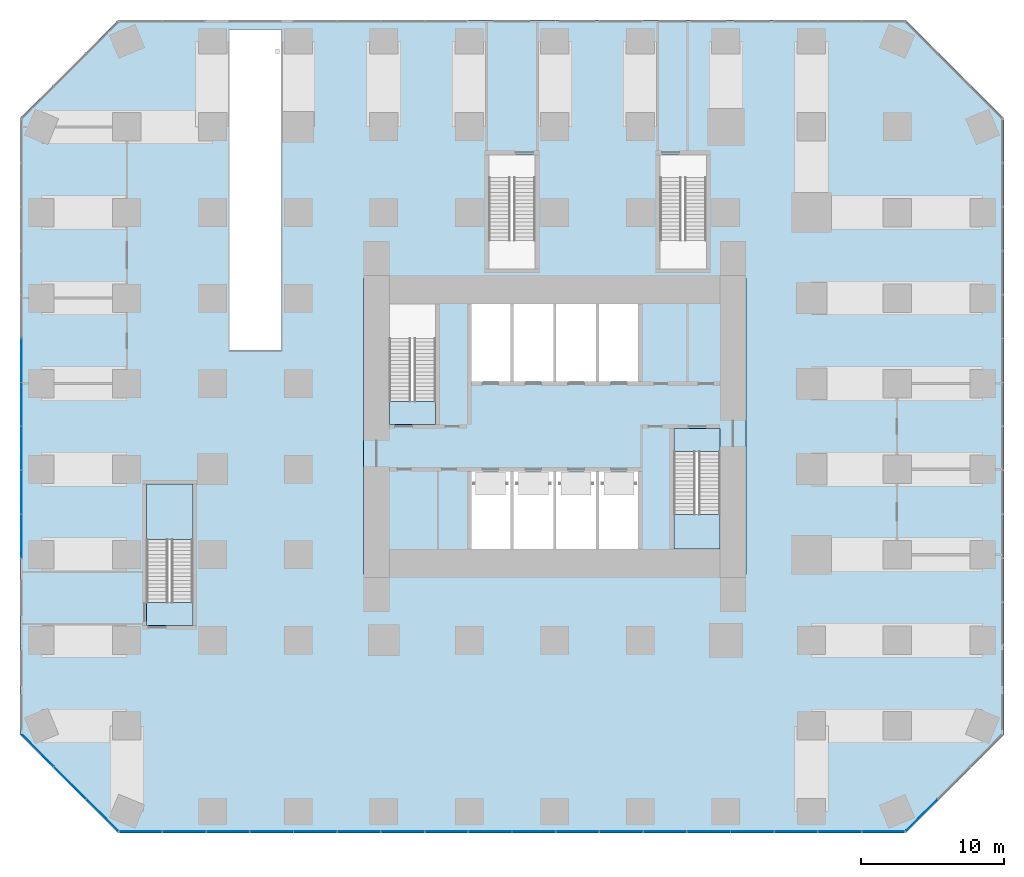
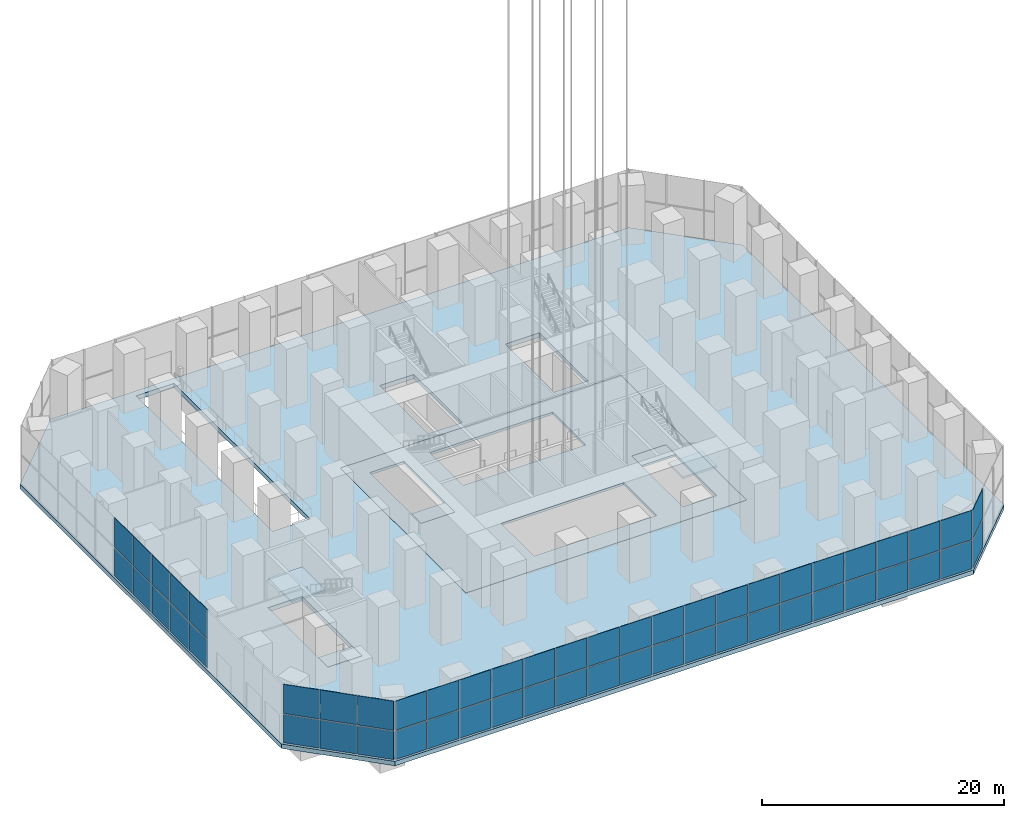
# One storey, part 10 of 21: 54 plates, 7 slabs, 7 elements without a shape of their own.
"""IFC4 building model written with IfcOpenShell, lengths in metres."""

from ifc_helpers import new_model, si_unit, direction, frame, origin, origin_2d, place, context, subcontext, project, spatial, polyline, rectangle, outline, extrude, material, layer, layer_set, type_object, element, aggregate, save


model = new_model("IFC4")

# Units and contexts
model_context = context("Model", 3, precision=1e-05, world=origin(), true_north=direction((0.0, 1.0)))
body_context = subcontext(model_context, "Body", "Model", "MODEL_VIEW")
ifc_project = project(units=[si_unit("LENGTHUNIT", "METRE"), si_unit("AREAUNIT", "SQUARE_METRE"), si_unit("VOLUMEUNIT", "CUBIC_METRE"), si_unit("PLANEANGLEUNIT", "RADIAN"), si_unit("MASSUNIT", "GRAM", prefix="KILO")], contexts=[model_context])

# Site, building, storey
site_placement = place(None, origin())
site = spatial("IfcSite", under=ifc_project, at=site_placement, CompositionType="ELEMENT")
building_placement = place(site_placement, origin())
building = spatial("IfcBuilding", under=site, at=building_placement, Name="Highveld Stack Headquarters", CompositionType="ELEMENT")
storey_placement = place(building_placement, origin())
storey = spatial("IfcBuildingStorey", under=building, at=storey_placement, Name="L00", CompositionType="ELEMENT", Elevation=0.0)

# Curtain wall, plates
ifc_material_1 = material(Name="Aluminium bronze anodised", Category="aluminium")
ifc_layer_1 = layer(ifc_material_1, 0.199951171875)
ifc_layer_set_1 = layer_set([ifc_layer_1], Name="Aluminium bronze anodised")
curtain_wall_type = type_object("IfcCurtainWallType", Name="CW3 PODIUM STICK CURTAIN WALL", PredefinedType="NOTDEFINED", material=ifc_layer_set_1)
curtain_wall_1_placement = place(storey_placement, origin())
curtain_wall_1 = element("IfcCurtainWall", 1, at=curtain_wall_1_placement, inside=storey, type_object=curtain_wall_type, Name="Curtain wall CW3 L00 S", PredefinedType="NOTDEFINED")
ifc_material_2 = material(Name="Glass clear low-iron double glazed unit", Category="glass")
ifc_layer_2 = layer(ifc_material_2, 0.035888671875)
ifc_layer_set_2 = layer_set([ifc_layer_2], Name="Glass clear low-iron double glazed unit")
plate_type = type_object("IfcPlateType", Name="CW3 PANEL CLEAR LOW-IRON DOUBLE GLAZED UNIT", PredefinedType="CURTAIN_PANEL", material=ifc_layer_set_2)
plate_1_placement = place(storey_placement, frame((-23.031494140625, -25.39990234375, 0.099853515625), z_axis=(0.0, 0.0, 1.0), x_axis=(1.0, 0.0, 0.0)))
plate_1 = element("IfcPlate", 2, at=plate_1_placement, type_object=plate_type, Name="CW3 panel L00 1.1", PredefinedType="CURTAIN_PANEL", context=body_context, shape_type="SweptSolid", body=[
    extrude(rectangle(XDim=2.966796875, YDim=0.035888671875, at=origin_2d()), origin(), (0.0, 0.0, 1.0), 2.85009765625),
])
plate_2_placement = place(storey_placement, frame((-23.031494140625, -25.39990234375, 3.0498046875), z_axis=(0.0, 0.0, 1.0), x_axis=(1.0, 0.0, 0.0)))
plate_2 = element("IfcPlate", 3, at=plate_2_placement, type_object=plate_type, Name="CW3 panel L00 1.2", PredefinedType="CURTAIN_PANEL", context=body_context, shape_type="SweptSolid", body=[
    extrude(rectangle(XDim=2.966796875, YDim=0.035888671875, at=origin_2d()), origin(), (0.0, 0.0, 1.0), 2.949951171875),
])
plate_3_placement = place(storey_placement, frame((-19.983154296875, -25.39990234375, 0.099853515625), z_axis=(0.0, 0.0, 1.0), x_axis=(1.0, 0.0, 0.0)))
plate_3 = element("IfcPlate", 4, at=plate_3_placement, type_object=plate_type, Name="CW3 panel L00 2.1", PredefinedType="CURTAIN_PANEL", context=body_context, shape_type="SweptSolid", body=[
    extrude(rectangle(XDim=2.99951171875, YDim=0.035888671875, at=origin_2d()), origin(), (0.0, 0.0, 1.0), 2.85009765625),
])
plate_4_placement = place(storey_placement, frame((-19.983154296875, -25.39990234375, 3.0498046875), z_axis=(0.0, 0.0, 1.0), x_axis=(1.0, 0.0, 0.0)))
plate_4 = element("IfcPlate", 5, at=plate_4_placement, type_object=plate_type, Name="CW3 panel L00 2.2", PredefinedType="CURTAIN_PANEL", context=body_context, shape_type="SweptSolid", body=[
    extrude(rectangle(XDim=2.99951171875, YDim=0.035888671875, at=origin_2d()), origin(), (0.0, 0.0, 1.0), 2.949951171875),
])
plate_5_placement = place(storey_placement, frame((-16.918701171875, -25.39990234375, 0.099853515625), z_axis=(0.0, 0.0, 1.0), x_axis=(1.0, 0.0, 0.0)))
plate_5 = element("IfcPlate", 6, at=plate_5_placement, type_object=plate_type, Name="CW3 panel L00 3.1", PredefinedType="CURTAIN_PANEL", context=body_context, shape_type="SweptSolid", body=[
    extrude(rectangle(XDim=2.99951171875, YDim=0.035888671875, at=origin_2d()), origin(), (0.0, 0.0, 1.0), 2.85009765625),
])
plate_6_placement = place(storey_placement, frame((-16.918701171875, -25.39990234375, 3.0498046875), z_axis=(0.0, 0.0, 1.0), x_axis=(1.0, 0.0, 0.0)))
plate_6 = element("IfcPlate", 7, at=plate_6_placement, type_object=plate_type, Name="CW3 panel L00 3.2", PredefinedType="CURTAIN_PANEL", context=body_context, shape_type="SweptSolid", body=[
    extrude(rectangle(XDim=2.99951171875, YDim=0.035888671875, at=origin_2d()), origin(), (0.0, 0.0, 1.0), 2.949951171875),
])
plate_7_placement = place(storey_placement, frame((-13.8544921875, -25.39990234375, 0.099853515625), z_axis=(0.0, 0.0, 1.0), x_axis=(1.0, 0.0, 0.0)))
plate_7 = element("IfcPlate", 8, at=plate_7_placement, type_object=plate_type, Name="CW3 panel L00 4.1", PredefinedType="CURTAIN_PANEL", context=body_context, shape_type="SweptSolid", body=[
    extrude(rectangle(XDim=2.99951171875, YDim=0.035888671875, at=origin_2d()), origin(), (0.0, 0.0, 1.0), 2.85009765625),
])
plate_8_placement = place(storey_placement, frame((-13.8544921875, -25.39990234375, 3.0498046875), z_axis=(0.0, 0.0, 1.0), x_axis=(1.0, 0.0, 0.0)))
plate_8 = element("IfcPlate", 9, at=plate_8_placement, type_object=plate_type, Name="CW3 panel L00 4.2", PredefinedType="CURTAIN_PANEL", context=body_context, shape_type="SweptSolid", body=[
    extrude(rectangle(XDim=2.99951171875, YDim=0.035888671875, at=origin_2d()), origin(), (0.0, 0.0, 1.0), 2.949951171875),
])
plate_9_placement = place(storey_placement, frame((-10.789794921875, -25.39990234375, 0.099853515625), z_axis=(0.0, 0.0, 1.0), x_axis=(1.0, 0.0, 0.0)))
plate_9 = element("IfcPlate", 10, at=plate_9_placement, type_object=plate_type, Name="CW3 panel L00 5.1", PredefinedType="CURTAIN_PANEL", context=body_context, shape_type="SweptSolid", body=[
    extrude(rectangle(XDim=2.99951171875, YDim=0.035888671875, at=origin_2d()), origin(), (0.0, 0.0, 1.0), 2.85009765625),
])
plate_10_placement = place(storey_placement, frame((-10.789794921875, -25.39990234375, 3.0498046875), z_axis=(0.0, 0.0, 1.0), x_axis=(1.0, 0.0, 0.0)))
plate_10 = element("IfcPlate", 11, at=plate_10_placement, type_object=plate_type, Name="CW3 panel L00 5.2", PredefinedType="CURTAIN_PANEL", context=body_context, shape_type="SweptSolid", body=[
    extrude(rectangle(XDim=2.99951171875, YDim=0.035888671875, at=origin_2d()), origin(), (0.0, 0.0, 1.0), 2.949951171875),
])
plate_11_placement = place(storey_placement, frame((-7.7255859375, -25.39990234375, 0.099853515625), z_axis=(0.0, 0.0, 1.0), x_axis=(1.0, 0.0, 0.0)))
plate_11 = element("IfcPlate", 12, at=plate_11_placement, type_object=plate_type, Name="CW3 panel L00 6.1", PredefinedType="CURTAIN_PANEL", context=body_context, shape_type="SweptSolid", body=[
    extrude(rectangle(XDim=2.99951171875, YDim=0.035888671875, at=origin_2d()), origin(), (0.0, 0.0, 1.0), 2.85009765625),
])
plate_12_placement = place(storey_placement, frame((-7.7255859375, -25.39990234375, 3.0498046875), z_axis=(0.0, 0.0, 1.0), x_axis=(1.0, 0.0, 0.0)))
plate_12 = element("IfcPlate", 13, at=plate_12_placement, type_object=plate_type, Name="CW3 panel L00 6.2", PredefinedType="CURTAIN_PANEL", context=body_context, shape_type="SweptSolid", body=[
    extrude(rectangle(XDim=2.99951171875, YDim=0.035888671875, at=origin_2d()), origin(), (0.0, 0.0, 1.0), 2.949951171875),
])
plate_13_placement = place(storey_placement, frame((-4.6611328125, -25.39990234375, 0.099853515625), z_axis=(0.0, 0.0, 1.0), x_axis=(1.0, 0.0, 0.0)))
plate_13 = element("IfcPlate", 14, at=plate_13_placement, type_object=plate_type, Name="CW3 panel L00 7.1", PredefinedType="CURTAIN_PANEL", context=body_context, shape_type="SweptSolid", body=[
    extrude(rectangle(XDim=2.99951171875, YDim=0.035888671875, at=origin_2d()), origin(), (0.0, 0.0, 1.0), 2.85009765625),
])
plate_14_placement = place(storey_placement, frame((-4.6611328125, -25.39990234375, 3.0498046875), z_axis=(0.0, 0.0, 1.0), x_axis=(1.0, 0.0, 0.0)))
plate_14 = element("IfcPlate", 15, at=plate_14_placement, type_object=plate_type, Name="CW3 panel L00 7.2", PredefinedType="CURTAIN_PANEL", context=body_context, shape_type="SweptSolid", body=[
    extrude(rectangle(XDim=2.99951171875, YDim=0.035888671875, at=origin_2d()), origin(), (0.0, 0.0, 1.0), 2.949951171875),
])
plate_15_placement = place(storey_placement, frame((-1.5966796875, -25.39990234375, 0.099853515625), z_axis=(0.0, 0.0, 1.0), x_axis=(1.0, 0.0, 0.0)))
plate_15 = element("IfcPlate", 16, at=plate_15_placement, type_object=plate_type, Name="CW3 panel L00 8.1", PredefinedType="CURTAIN_PANEL", context=body_context, shape_type="SweptSolid", body=[
    extrude(rectangle(XDim=2.99951171875, YDim=0.035888671875, at=origin_2d()), origin(), (0.0, 0.0, 1.0), 2.85009765625),
])
plate_16_placement = place(storey_placement, frame((-1.5966796875, -25.39990234375, 3.0498046875), z_axis=(0.0, 0.0, 1.0), x_axis=(1.0, 0.0, 0.0)))
plate_16 = element("IfcPlate", 17, at=plate_16_placement, type_object=plate_type, Name="CW3 panel L00 8.2", PredefinedType="CURTAIN_PANEL", context=body_context, shape_type="SweptSolid", body=[
    extrude(rectangle(XDim=2.99951171875, YDim=0.035888671875, at=origin_2d()), origin(), (0.0, 0.0, 1.0), 2.949951171875),
])
plate_17_placement = place(storey_placement, frame((1.4677734375, -25.39990234375, 0.099853515625), z_axis=(0.0, 0.0, 1.0), x_axis=(1.0, 0.0, 0.0)))
plate_17 = element("IfcPlate", 18, at=plate_17_placement, type_object=plate_type, Name="CW3 panel L00 9.1", PredefinedType="CURTAIN_PANEL", context=body_context, shape_type="SweptSolid", body=[
    extrude(rectangle(XDim=2.99951171875, YDim=0.035888671875, at=origin_2d()), origin(), (0.0, 0.0, 1.0), 2.85009765625),
])
plate_18_placement = place(storey_placement, frame((1.4677734375, -25.39990234375, 3.0498046875), z_axis=(0.0, 0.0, 1.0), x_axis=(1.0, 0.0, 0.0)))
plate_18 = element("IfcPlate", 19, at=plate_18_placement, type_object=plate_type, Name="CW3 panel L00 9.2", PredefinedType="CURTAIN_PANEL", context=body_context, shape_type="SweptSolid", body=[
    extrude(rectangle(XDim=2.99951171875, YDim=0.035888671875, at=origin_2d()), origin(), (0.0, 0.0, 1.0), 2.949951171875),
])
plate_19_placement = place(storey_placement, frame((4.5322265625, -25.39990234375, 0.099853515625), z_axis=(0.0, 0.0, 1.0), x_axis=(1.0, 0.0, 0.0)))
plate_19 = element("IfcPlate", 20, at=plate_19_placement, type_object=plate_type, Name="CW3 panel L00 10.1", PredefinedType="CURTAIN_PANEL", context=body_context, shape_type="SweptSolid", body=[
    extrude(rectangle(XDim=2.99951171875, YDim=0.035888671875, at=origin_2d()), origin(), (0.0, 0.0, 1.0), 2.85009765625),
])
plate_20_placement = place(storey_placement, frame((4.5322265625, -25.39990234375, 3.0498046875), z_axis=(0.0, 0.0, 1.0), x_axis=(1.0, 0.0, 0.0)))
plate_20 = element("IfcPlate", 21, at=plate_20_placement, type_object=plate_type, Name="CW3 panel L00 10.2", PredefinedType="CURTAIN_PANEL", context=body_context, shape_type="SweptSolid", body=[
    extrude(rectangle(XDim=2.99951171875, YDim=0.035888671875, at=origin_2d()), origin(), (0.0, 0.0, 1.0), 2.949951171875),
])
plate_21_placement = place(storey_placement, frame((7.5966796875, -25.39990234375, 0.099853515625), z_axis=(0.0, 0.0, 1.0), x_axis=(1.0, 0.0, 0.0)))
plate_21 = element("IfcPlate", 22, at=plate_21_placement, type_object=plate_type, Name="CW3 panel L00 11.1", PredefinedType="CURTAIN_PANEL", context=body_context, shape_type="SweptSolid", body=[
    extrude(rectangle(XDim=2.99951171875, YDim=0.035888671875, at=origin_2d()), origin(), (0.0, 0.0, 1.0), 2.85009765625),
])
plate_22_placement = place(storey_placement, frame((7.5966796875, -25.39990234375, 3.0498046875), z_axis=(0.0, 0.0, 1.0), x_axis=(1.0, 0.0, 0.0)))
plate_22 = element("IfcPlate", 23, at=plate_22_placement, type_object=plate_type, Name="CW3 panel L00 11.2", PredefinedType="CURTAIN_PANEL", context=body_context, shape_type="SweptSolid", body=[
    extrude(rectangle(XDim=2.99951171875, YDim=0.035888671875, at=origin_2d()), origin(), (0.0, 0.0, 1.0), 2.949951171875),
])
plate_23_placement = place(storey_placement, frame((10.6611328125, -25.39990234375, 0.099853515625), z_axis=(0.0, 0.0, 1.0), x_axis=(1.0, 0.0, 0.0)))
plate_23 = element("IfcPlate", 24, at=plate_23_placement, type_object=plate_type, Name="CW3 panel L00 12.1", PredefinedType="CURTAIN_PANEL", context=body_context, shape_type="SweptSolid", body=[
    extrude(rectangle(XDim=2.99951171875, YDim=0.035888671875, at=origin_2d()), origin(), (0.0, 0.0, 1.0), 2.85009765625),
])
plate_24_placement = place(storey_placement, frame((10.6611328125, -25.39990234375, 3.0498046875), z_axis=(0.0, 0.0, 1.0), x_axis=(1.0, 0.0, 0.0)))
plate_24 = element("IfcPlate", 25, at=plate_24_placement, type_object=plate_type, Name="CW3 panel L00 12.2", PredefinedType="CURTAIN_PANEL", context=body_context, shape_type="SweptSolid", body=[
    extrude(rectangle(XDim=2.99951171875, YDim=0.035888671875, at=origin_2d()), origin(), (0.0, 0.0, 1.0), 2.949951171875),
])
plate_25_placement = place(storey_placement, frame((13.7255859375, -25.39990234375, 0.099853515625), z_axis=(0.0, 0.0, 1.0), x_axis=(1.0, 0.0, 0.0)))
plate_25 = element("IfcPlate", 26, at=plate_25_placement, type_object=plate_type, Name="CW3 panel L00 13.1", PredefinedType="CURTAIN_PANEL", context=body_context, shape_type="SweptSolid", body=[
    extrude(rectangle(XDim=2.99951171875, YDim=0.035888671875, at=origin_2d()), origin(), (0.0, 0.0, 1.0), 2.85009765625),
])
plate_26_placement = place(storey_placement, frame((13.7255859375, -25.39990234375, 3.0498046875), z_axis=(0.0, 0.0, 1.0), x_axis=(1.0, 0.0, 0.0)))
plate_26 = element("IfcPlate", 27, at=plate_26_placement, type_object=plate_type, Name="CW3 panel L00 13.2", PredefinedType="CURTAIN_PANEL", context=body_context, shape_type="SweptSolid", body=[
    extrude(rectangle(XDim=2.99951171875, YDim=0.035888671875, at=origin_2d()), origin(), (0.0, 0.0, 1.0), 2.949951171875),
])
plate_27_placement = place(storey_placement, frame((16.7900390625, -25.39990234375, 0.099853515625), z_axis=(0.0, 0.0, 1.0), x_axis=(1.0, 0.0, 0.0)))
plate_27 = element("IfcPlate", 28, at=plate_27_placement, type_object=plate_type, Name="CW3 panel L00 14.1", PredefinedType="CURTAIN_PANEL", context=body_context, shape_type="SweptSolid", body=[
    extrude(rectangle(XDim=2.99951171875, YDim=0.035888671875, at=origin_2d()), origin(), (0.0, 0.0, 1.0), 2.85009765625),
])
plate_28_placement = place(storey_placement, frame((16.7900390625, -25.39990234375, 3.0498046875), z_axis=(0.0, 0.0, 1.0), x_axis=(1.0, 0.0, 0.0)))
plate_28 = element("IfcPlate", 29, at=plate_28_placement, type_object=plate_type, Name="CW3 panel L00 14.2", PredefinedType="CURTAIN_PANEL", context=body_context, shape_type="SweptSolid", body=[
    extrude(rectangle(XDim=2.99951171875, YDim=0.035888671875, at=origin_2d()), origin(), (0.0, 0.0, 1.0), 2.949951171875),
])
plate_29_placement = place(storey_placement, frame((19.8544921875, -25.39990234375, 0.099853515625), z_axis=(0.0, 0.0, 1.0), x_axis=(1.0, 0.0, 0.0)))
plate_29 = element("IfcPlate", 30, at=plate_29_placement, type_object=plate_type, Name="CW3 panel L00 15.1", PredefinedType="CURTAIN_PANEL", context=body_context, shape_type="SweptSolid", body=[
    extrude(rectangle(XDim=2.99951171875, YDim=0.035888671875, at=origin_2d()), origin(), (0.0, 0.0, 1.0), 2.85009765625),
])
plate_30_placement = place(storey_placement, frame((19.8544921875, -25.39990234375, 3.0498046875), z_axis=(0.0, 0.0, 1.0), x_axis=(1.0, 0.0, 0.0)))
plate_30 = element("IfcPlate", 31, at=plate_30_placement, type_object=plate_type, Name="CW3 panel L00 15.2", PredefinedType="CURTAIN_PANEL", context=body_context, shape_type="SweptSolid", body=[
    extrude(rectangle(XDim=2.99951171875, YDim=0.035888671875, at=origin_2d()), origin(), (0.0, 0.0, 1.0), 2.949951171875),
])
plate_31_placement = place(storey_placement, frame((22.918701171875, -25.39990234375, 0.099853515625), z_axis=(0.0, 0.0, 1.0), x_axis=(1.0, 0.0, 0.0)))
plate_31 = element("IfcPlate", 32, at=plate_31_placement, type_object=plate_type, Name="CW3 panel L00 16.1", PredefinedType="CURTAIN_PANEL", context=body_context, shape_type="SweptSolid", body=[
    extrude(rectangle(XDim=2.99951171875, YDim=0.035888671875, at=origin_2d()), origin(), (0.0, 0.0, 1.0), 2.85009765625),
])
plate_32_placement = place(storey_placement, frame((22.918701171875, -25.39990234375, 3.0498046875), z_axis=(0.0, 0.0, 1.0), x_axis=(1.0, 0.0, 0.0)))
plate_32 = element("IfcPlate", 33, at=plate_32_placement, type_object=plate_type, Name="CW3 panel L00 16.2", PredefinedType="CURTAIN_PANEL", context=body_context, shape_type="SweptSolid", body=[
    extrude(rectangle(XDim=2.99951171875, YDim=0.035888671875, at=origin_2d()), origin(), (0.0, 0.0, 1.0), 2.949951171875),
])
plate_33_placement = place(storey_placement, frame((25.983154296875, -25.39990234375, 0.099853515625), z_axis=(0.0, 0.0, 1.0), x_axis=(1.0, 0.0, 0.0)))
plate_33 = element("IfcPlate", 34, at=plate_33_placement, type_object=plate_type, Name="CW3 panel L00 17.1", PredefinedType="CURTAIN_PANEL", context=body_context, shape_type="SweptSolid", body=[
    extrude(rectangle(XDim=2.99951171875, YDim=0.035888671875, at=origin_2d()), origin(), (0.0, 0.0, 1.0), 2.85009765625),
])
plate_34_placement = place(storey_placement, frame((25.983154296875, -25.39990234375, 3.0498046875), z_axis=(0.0, 0.0, 1.0), x_axis=(1.0, 0.0, 0.0)))
plate_34 = element("IfcPlate", 35, at=plate_34_placement, type_object=plate_type, Name="CW3 panel L00 17.2", PredefinedType="CURTAIN_PANEL", context=body_context, shape_type="SweptSolid", body=[
    extrude(rectangle(XDim=2.99951171875, YDim=0.035888671875, at=origin_2d()), origin(), (0.0, 0.0, 1.0), 2.949951171875),
])
plate_35_placement = place(storey_placement, frame((29.031494140625, -25.39990234375, 0.099853515625), z_axis=(0.0, 0.0, 1.0), x_axis=(1.0, 0.0, 0.0)))
plate_35 = element("IfcPlate", 36, at=plate_35_placement, type_object=plate_type, Name="CW3 panel L00 18.1", PredefinedType="CURTAIN_PANEL", context=body_context, shape_type="SweptSolid", body=[
    extrude(rectangle(XDim=2.966796875, YDim=0.035888671875, at=origin_2d()), origin(), (0.0, 0.0, 1.0), 2.85009765625),
])
plate_36_placement = place(storey_placement, frame((29.031494140625, -25.39990234375, 3.0498046875), z_axis=(0.0, 0.0, 1.0), x_axis=(1.0, 0.0, 0.0)))
plate_36 = element("IfcPlate", 37, at=plate_36_placement, type_object=plate_type, Name="CW3 panel L00 18.2", PredefinedType="CURTAIN_PANEL", context=body_context, shape_type="SweptSolid", body=[
    extrude(rectangle(XDim=2.966796875, YDim=0.035888671875, at=origin_2d()), origin(), (0.0, 0.0, 1.0), 2.949951171875),
])
aggregate(curtain_wall_1, [plate_1, plate_2, plate_3, plate_4, plate_5, plate_6, plate_7, plate_8, plate_9, plate_10, plate_11, plate_12, plate_13, plate_14, plate_15, plate_16, plate_17, plate_18, plate_19, plate_20, plate_21, plate_22, plate_23, plate_24, plate_25, plate_26, plate_27, plate_28, plate_29, plate_30, plate_31, plate_32, plate_33, plate_34, plate_35, plate_36])

curtain_wall_2_placement = place(storey_placement, origin())
curtain_wall_2 = element("IfcCurtainWall", 38, at=curtain_wall_2_placement, inside=storey, type_object=curtain_wall_type, Name="Curtain wall CW3 L00 SE", PredefinedType="NOTDEFINED")
plate_37_placement = place(storey_placement, frame((31.740478515625, -24.239501953125, 0.099853515625), z_axis=(0.0, 0.0, 1.0), x_axis=(0.707106781187, 0.707106781187, 0.0)))
plate_37 = element("IfcPlate", 39, at=plate_37_placement, type_object=plate_type, Name="CW3 panel L00 1.1", PredefinedType="CURTAIN_PANEL", context=body_context, shape_type="SweptSolid", body=[
    extrude(rectangle(XDim=3.08251953125, YDim=0.035888671875, at=origin_2d()), origin(), (0.0, 0.0, 1.0), 2.85009765625),
])
plate_38_placement = place(storey_placement, frame((31.740478515625, -24.239501953125, 3.0498046875), z_axis=(0.0, 0.0, 1.0), x_axis=(0.707106781187, 0.707106781187, 0.0)))
plate_38 = element("IfcPlate", 40, at=plate_38_placement, type_object=plate_type, Name="CW3 panel L00 1.2", PredefinedType="CURTAIN_PANEL", context=body_context, shape_type="SweptSolid", body=[
    extrude(rectangle(XDim=3.08251953125, YDim=0.035888671875, at=origin_2d()), origin(), (0.0, 0.0, 1.0), 2.949951171875),
])
aggregate(curtain_wall_2, [plate_37, plate_38])

curtain_wall_3_placement = place(storey_placement, origin())
curtain_wall_3 = element("IfcCurtainWall", 41, at=curtain_wall_3_placement, inside=storey, type_object=curtain_wall_type, Name="Curtain wall CW3 L00 W", PredefinedType="NOTDEFINED")
plate_39_placement = place(storey_placement, frame((-31.39990234375, 7.624267578125, 0.099853515625), z_axis=(0.0, 0.0, 1.0), x_axis=(0.0, -1.0, 0.0)))
plate_39 = element("IfcPlate", 42, at=plate_39_placement, type_object=plate_type, Name="CW3 panel L00 6.1", PredefinedType="CURTAIN_PANEL", context=body_context, shape_type="SweptSolid", body=[
    extrude(rectangle(XDim=3.017822265625, YDim=0.035888671875, at=origin_2d()), origin(), (0.0, 0.0, 1.0), 2.85009765625),
])
plate_40_placement = place(storey_placement, frame((-31.39990234375, 7.624267578125, 3.0498046875), z_axis=(0.0, 0.0, 1.0), x_axis=(0.0, -1.0, 0.0)))
plate_40 = element("IfcPlate", 43, at=plate_40_placement, type_object=plate_type, Name="CW3 panel L00 6.2", PredefinedType="CURTAIN_PANEL", context=body_context, shape_type="SweptSolid", body=[
    extrude(rectangle(XDim=3.017822265625, YDim=0.035888671875, at=origin_2d()), origin(), (0.0, 0.0, 1.0), 2.949951171875),
])
plate_41_placement = place(storey_placement, frame((-31.39990234375, 4.54150390625, 0.099853515625), z_axis=(0.0, 0.0, 1.0), x_axis=(0.0, -1.0, 0.0)))
plate_41 = element("IfcPlate", 44, at=plate_41_placement, type_object=plate_type, Name="CW3 panel L00 7.1", PredefinedType="CURTAIN_PANEL", context=body_context, shape_type="SweptSolid", body=[
    extrude(rectangle(XDim=3.017822265625, YDim=0.035888671875, at=origin_2d()), origin(), (0.0, 0.0, 1.0), 2.85009765625),
])
plate_42_placement = place(storey_placement, frame((-31.39990234375, 4.54150390625, 3.0498046875), z_axis=(0.0, 0.0, 1.0), x_axis=(0.0, -1.0, 0.0)))
plate_42 = element("IfcPlate", 45, at=plate_42_placement, type_object=plate_type, Name="CW3 panel L00 7.2", PredefinedType="CURTAIN_PANEL", context=body_context, shape_type="SweptSolid", body=[
    extrude(rectangle(XDim=3.017822265625, YDim=0.035888671875, at=origin_2d()), origin(), (0.0, 0.0, 1.0), 2.949951171875),
])
plate_43_placement = place(storey_placement, frame((-31.39990234375, 1.45849609375, 0.099853515625), z_axis=(0.0, 0.0, 1.0), x_axis=(0.0, -1.0, 0.0)))
plate_43 = element("IfcPlate", 46, at=plate_43_placement, type_object=plate_type, Name="CW3 panel L00 8.1", PredefinedType="CURTAIN_PANEL", context=body_context, shape_type="SweptSolid", body=[
    extrude(rectangle(XDim=3.017822265625, YDim=0.035888671875, at=origin_2d()), origin(), (0.0, 0.0, 1.0), 2.85009765625),
])
plate_44_placement = place(storey_placement, frame((-31.39990234375, 1.45849609375, 3.0498046875), z_axis=(0.0, 0.0, 1.0), x_axis=(0.0, -1.0, 0.0)))
plate_44 = element("IfcPlate", 47, at=plate_44_placement, type_object=plate_type, Name="CW3 panel L00 8.2", PredefinedType="CURTAIN_PANEL", context=body_context, shape_type="SweptSolid", body=[
    extrude(rectangle(XDim=3.017822265625, YDim=0.035888671875, at=origin_2d()), origin(), (0.0, 0.0, 1.0), 2.949951171875),
])
plate_45_placement = place(storey_placement, frame((-31.39990234375, -1.624267578125, 0.099853515625), z_axis=(0.0, 0.0, 1.0), x_axis=(0.0, -1.0, 0.0)))
plate_45 = element("IfcPlate", 48, at=plate_45_placement, type_object=plate_type, Name="CW3 panel L00 9.1", PredefinedType="CURTAIN_PANEL", context=body_context, shape_type="SweptSolid", body=[
    extrude(rectangle(XDim=3.017822265625, YDim=0.035888671875, at=origin_2d()), origin(), (0.0, 0.0, 1.0), 2.85009765625),
])
plate_46_placement = place(storey_placement, frame((-31.39990234375, -1.624267578125, 3.0498046875), z_axis=(0.0, 0.0, 1.0), x_axis=(0.0, -1.0, 0.0)))
plate_46 = element("IfcPlate", 49, at=plate_46_placement, type_object=plate_type, Name="CW3 panel L00 9.2", PredefinedType="CURTAIN_PANEL", context=body_context, shape_type="SweptSolid", body=[
    extrude(rectangle(XDim=3.017822265625, YDim=0.035888671875, at=origin_2d()), origin(), (0.0, 0.0, 1.0), 2.949951171875),
])
plate_47_placement = place(storey_placement, frame((-31.39990234375, -4.70703125, 0.099853515625), z_axis=(0.0, 0.0, 1.0), x_axis=(0.0, -1.0, 0.0)))
plate_47 = element("IfcPlate", 50, at=plate_47_placement, type_object=plate_type, Name="CW3 panel L00 10.1", PredefinedType="CURTAIN_PANEL", context=body_context, shape_type="SweptSolid", body=[
    extrude(rectangle(XDim=3.017822265625, YDim=0.035888671875, at=origin_2d()), origin(), (0.0, 0.0, 1.0), 2.85009765625),
])
plate_48_placement = place(storey_placement, frame((-31.39990234375, -4.70703125, 3.0498046875), z_axis=(0.0, 0.0, 1.0), x_axis=(0.0, -1.0, 0.0)))
plate_48 = element("IfcPlate", 51, at=plate_48_placement, type_object=plate_type, Name="CW3 panel L00 10.2", PredefinedType="CURTAIN_PANEL", context=body_context, shape_type="SweptSolid", body=[
    extrude(rectangle(XDim=3.017822265625, YDim=0.035888671875, at=origin_2d()), origin(), (0.0, 0.0, 1.0), 2.949951171875),
])
aggregate(curtain_wall_3, [plate_39, plate_40, plate_41, plate_42, plate_43, plate_44, plate_45, plate_46, plate_47, plate_48])

curtain_wall_4_placement = place(storey_placement, origin())
curtain_wall_4 = element("IfcCurtainWall", 52, at=curtain_wall_4_placement, inside=storey, type_object=curtain_wall_type, Name="Curtain wall CW3 L00 SW", PredefinedType="NOTDEFINED")
plate_49_placement = place(storey_placement, frame((-30.239501953125, -19.740478515625, 0.099853515625), z_axis=(0.0, 0.0, 1.0), x_axis=(0.707106781187, -0.707106781187, 0.0)))
plate_49 = element("IfcPlate", 53, at=plate_49_placement, type_object=plate_type, Name="CW3 panel L00 1.1", PredefinedType="CURTAIN_PANEL", context=body_context, shape_type="SweptSolid", body=[
    extrude(rectangle(XDim=3.08251953125, YDim=0.035888671875, at=origin_2d()), origin(), (0.0, 0.0, 1.0), 2.85009765625),
])
plate_50_placement = place(storey_placement, frame((-30.239501953125, -19.740478515625, 3.0498046875), z_axis=(0.0, 0.0, 1.0), x_axis=(0.707106781187, -0.707106781187, 0.0)))
plate_50 = element("IfcPlate", 54, at=plate_50_placement, type_object=plate_type, Name="CW3 panel L00 1.2", PredefinedType="CURTAIN_PANEL", context=body_context, shape_type="SweptSolid", body=[
    extrude(rectangle(XDim=3.08251953125, YDim=0.035888671875, at=origin_2d()), origin(), (0.0, 0.0, 1.0), 2.949951171875),
])
plate_51_placement = place(storey_placement, frame((-27.989990234375, -21.989990234375, 0.099853515625), z_axis=(0.0, 0.0, 1.0), x_axis=(0.707106781187, -0.707106781187, 0.0)))
plate_51 = element("IfcPlate", 55, at=plate_51_placement, type_object=plate_type, Name="CW3 panel L00 2.1", PredefinedType="CURTAIN_PANEL", context=body_context, shape_type="SweptSolid", body=[
    extrude(rectangle(XDim=3.14990234375, YDim=0.035888671875, at=origin_2d()), origin(), (0.0, 0.0, 1.0), 2.85009765625),
])
plate_52_placement = place(storey_placement, frame((-27.989990234375, -21.989990234375, 3.0498046875), z_axis=(0.0, 0.0, 1.0), x_axis=(0.707106781187, -0.707106781187, 0.0)))
plate_52 = element("IfcPlate", 56, at=plate_52_placement, type_object=plate_type, Name="CW3 panel L00 2.2", PredefinedType="CURTAIN_PANEL", context=body_context, shape_type="SweptSolid", body=[
    extrude(rectangle(XDim=3.14990234375, YDim=0.035888671875, at=origin_2d()), origin(), (0.0, 0.0, 1.0), 2.949951171875),
])
plate_53_placement = place(storey_placement, frame((-25.740478515625, -24.239501953125, 0.099853515625), z_axis=(0.0, 0.0, 1.0), x_axis=(0.707106781187, -0.707106781187, 0.0)))
plate_53 = element("IfcPlate", 57, at=plate_53_placement, type_object=plate_type, Name="CW3 panel L00 3.1", PredefinedType="CURTAIN_PANEL", context=body_context, shape_type="SweptSolid", body=[
    extrude(rectangle(XDim=3.08251953125, YDim=0.035888671875, at=origin_2d()), origin(), (0.0, 0.0, 1.0), 2.85009765625),
])
plate_54_placement = place(storey_placement, frame((-25.740478515625, -24.239501953125, 3.0498046875), z_axis=(0.0, 0.0, 1.0), x_axis=(0.707106781187, -0.707106781187, 0.0)))
plate_54 = element("IfcPlate", 58, at=plate_54_placement, type_object=plate_type, Name="CW3 panel L00 3.2", PredefinedType="CURTAIN_PANEL", context=body_context, shape_type="SweptSolid", body=[
    extrude(rectangle(XDim=3.08251953125, YDim=0.035888671875, at=origin_2d()), origin(), (0.0, 0.0, 1.0), 2.949951171875),
])
aggregate(curtain_wall_4, [plate_49, plate_50, plate_51, plate_52, plate_53, plate_54])

# Slabs
ifc_material_3 = material(Name="Concrete C60/75", Category="concrete")
ifc_layer_3 = layer(ifc_material_3, 0.25)
ifc_layer_set_3 = layer_set([ifc_layer_3], Name="Concrete C60/75")
slab_type_1 = type_object("IfcSlabType", Name="PT FLAT SLAB 250", PredefinedType="FLOOR", material=ifc_layer_set_3)
slab_1_placement = place(storey_placement, frame((0.0, 0.0, -0.25)))
element("IfcSlab", 59, at=slab_1_placement, inside=storey, type_object=slab_type_1, Name="Core floor slab L00", PredefinedType="FLOOR", context=body_context, shape_type="SweptSolid", body=[
    extrude(outline(polyline([(-7.39990234375, -7.39990234375), (19.39990234375, -7.39990234375), (19.39990234375, 13.39990234375), (-7.39990234375, 13.39990234375), (-7.39990234375, -7.39990234375)]), holes=[polyline([(0.14990234375, 6.14990234375), (11.85009765625, 6.14990234375), (11.85009765625, 11.60009765625), (0.14990234375, 11.60009765625), (0.14990234375, 6.14990234375)]), polyline([(0.14990234375, -5.60009765625), (11.85009765625, -5.60009765625), (11.85009765625, -0.14990234375), (0.14990234375, -0.14990234375), (0.14990234375, -5.60009765625)]), polyline([(-5.60009765625, 3.14990234375), (-2.35009765625, 3.14990234375), (-2.35009765625, 11.60009765625), (-5.60009765625, 11.60009765625), (-5.60009765625, 3.14990234375)]), polyline([(14.35009765625, -5.60009765625), (17.60009765625, -5.60009765625), (17.60009765625, 2.85009765625), (14.35009765625, 2.85009765625), (14.35009765625, -5.60009765625)])]), origin(), (0.0, 0.0, 1.0), 0.25),
])
ifc_material_4 = material(Name="Concrete C60/75", Category="concrete")
ifc_layer_4 = layer(ifc_material_4, 0.449951171875)
ifc_layer_set_4 = layer_set([ifc_layer_4], Name="Concrete C60/75")
slab_type_2 = type_object("IfcSlabType", Name="PT FLAT SLAB 450", PredefinedType="FLOOR", material=ifc_layer_set_4)
slab_2_placement = place(storey_placement, frame((0.0, 0.0, -0.449951171875)))
element("IfcSlab", 60, at=slab_2_placement, inside=storey, type_object=slab_type_2, Name="Floor slab L00", PredefinedType="FLOOR", context=body_context, shape_type="SweptSolid", body=[
    extrude(outline(polyline([(-24.621337890625, -25.5), (30.621337890625, -25.5), (37.5, -18.621337890625), (37.5, 24.621337890625), (30.621337890625, 31.5), (-24.621337890625, 31.5), (-31.5, 24.621337890625), (-31.5, -18.621337890625), (-24.621337890625, -25.5)]), holes=[polyline([(-22.625, -10.949951171875), (-19.375, -10.949951171875), (-19.375, -1.050048828125), (-22.625, -1.050048828125), (-22.625, -10.949951171875)]), polyline([(13.375, 14.050048828125), (16.625, 14.050048828125), (16.625, 22.050048828125), (13.375, 22.050048828125), (13.375, 14.050048828125)]), polyline([(1.375, 14.050048828125), (4.625, 14.050048828125), (4.625, 22.050048828125), (1.375, 22.050048828125), (1.375, 14.050048828125)]), polyline([(-7.39990234375, -7.39990234375), (19.39990234375, -7.39990234375), (19.39990234375, 13.39990234375), (-7.39990234375, 13.39990234375), (-7.39990234375, -7.39990234375)]), polyline([(-16.800048828125, 30.85009765625), (-16.800048828125, 8.315673828125), (-13.199951171875, 8.315673828125), (-13.199951171875, 30.85009765625), (-16.800048828125, 30.85009765625)])]), origin(), (0.0, 0.0, 1.0), 0.449951171875),
])

# Stair, slab
ifc_material_5 = material(Name="Concrete C40/50, precast", Category="concrete")
stair_type_1 = type_object("IfcStairType", Name="STAIR S1 HALF TURN 1500", PredefinedType="HALF_TURN_STAIR", material=ifc_material_5)
stair_1_placement = place(storey_placement, origin())
stair_1 = element("IfcStair", 61, at=stair_1_placement, inside=storey, type_object=stair_type_1, Name="Stair S1 L00", PredefinedType="HALF_TURN_STAIR")
ifc_material_6 = material(Name="Concrete C40/50, precast", Category="concrete")
ifc_layer_5 = layer(ifc_material_6, 0.199951171875)
ifc_layer_set_5 = layer_set([ifc_layer_5], Name="Concrete C40/50, precast")
slab_type_3 = type_object("IfcSlabType", Name="STAIR LANDING 200", PredefinedType="LANDING", material=ifc_layer_set_5)
slab_3_placement = place(storey_placement, frame((0.0, 0.0, -0.199951171875)))
slab_3 = element("IfcSlab", 62, at=slab_3_placement, type_object=slab_type_3, Name="S1 landing 2", PredefinedType="LANDING", context=body_context, shape_type="SweptSolid", body=[
    extrude(outline(polyline([(-5.60009765625, 3.14990234375), (-2.35009765625, 3.14990234375), (-2.35009765625, 4.75), (-5.60009765625, 4.75), (-5.60009765625, 3.14990234375)])), origin(), (0.0, 0.0, 1.0), 0.199951171875),
])
aggregate(stair_1, [slab_3])

# Stair, slabs
ifc_material_7 = material(Name="Concrete C40/50, precast", Category="concrete")
stair_type_2 = type_object("IfcStairType", Name="STAIR S2 HALF TURN 1500", PredefinedType="HALF_TURN_STAIR", material=ifc_material_7)
stair_2_placement = place(storey_placement, origin())
stair_2 = element("IfcStair", 63, at=stair_2_placement, inside=storey, type_object=stair_type_2, Name="Stair S2 L00", PredefinedType="HALF_TURN_STAIR")
slab_4_placement = place(storey_placement, frame((0.0, 0.0, 2.800048828125)))
slab_4 = element("IfcSlab", 64, at=slab_4_placement, type_object=slab_type_3, Name="S2 landing 1", PredefinedType="LANDING", context=body_context, shape_type="SweptSolid", body=[
    extrude(outline(polyline([(14.35009765625, -5.60009765625), (17.60009765625, -5.60009765625), (17.60009765625, -3.169921875), (14.35009765625, -3.169921875), (14.35009765625, -5.60009765625)])), origin(), (0.0, 0.0, 1.0), 0.199951171875),
])
slab_5_placement = place(storey_placement, frame((0.0, 0.0, -0.199951171875)))
slab_5 = element("IfcSlab", 65, at=slab_5_placement, type_object=slab_type_3, Name="S2 landing 2", PredefinedType="LANDING", context=body_context, shape_type="SweptSolid", body=[
    extrude(outline(polyline([(14.35009765625, 1.25), (17.60009765625, 1.25), (17.60009765625, 2.85009765625), (14.35009765625, 2.85009765625), (14.35009765625, 1.25)])), origin(), (0.0, 0.0, 1.0), 0.199951171875),
])
aggregate(stair_2, [slab_4, slab_5])

ifc_material_8 = material(Name="Concrete C40/50, precast", Category="concrete")
stair_type_3 = type_object("IfcStairType", Name="STAIR PS1 HALF TURN 1500", PredefinedType="HALF_TURN_STAIR", material=ifc_material_8)
stair_3_placement = place(storey_placement, origin())
stair_3 = element("IfcStair", 66, at=stair_3_placement, inside=storey, type_object=stair_type_3, Name="Stair PS1 L00", PredefinedType="HALF_TURN_STAIR")
slab_6_placement = place(storey_placement, frame((0.0, 0.0, 2.800048828125)))
slab_6 = element("IfcSlab", 67, at=slab_6_placement, type_object=slab_type_3, Name="PS1 landing 1", PredefinedType="LANDING", context=body_context, shape_type="SweptSolid", body=[
    extrude(outline(polyline([(-22.625, -4.929931640625), (-19.375, -4.929931640625), (-19.375, -1.050048828125), (-22.625, -1.050048828125), (-22.625, -4.929931640625)])), origin(), (0.0, 0.0, 1.0), 0.199951171875),
])
slab_7_placement = place(storey_placement, frame((0.0, 0.0, -0.199951171875)))
slab_7 = element("IfcSlab", 68, at=slab_7_placement, type_object=slab_type_3, Name="PS1 landing 2", PredefinedType="LANDING", context=body_context, shape_type="SweptSolid", body=[
    extrude(outline(polyline([(-22.625, -10.949951171875), (-19.375, -10.949951171875), (-19.375, -9.35009765625), (-22.625, -9.35009765625), (-22.625, -10.949951171875)])), origin(), (0.0, 0.0, 1.0), 0.199951171875),
])
aggregate(stair_3, [slab_6, slab_7])

save(model, "model.ifc")
